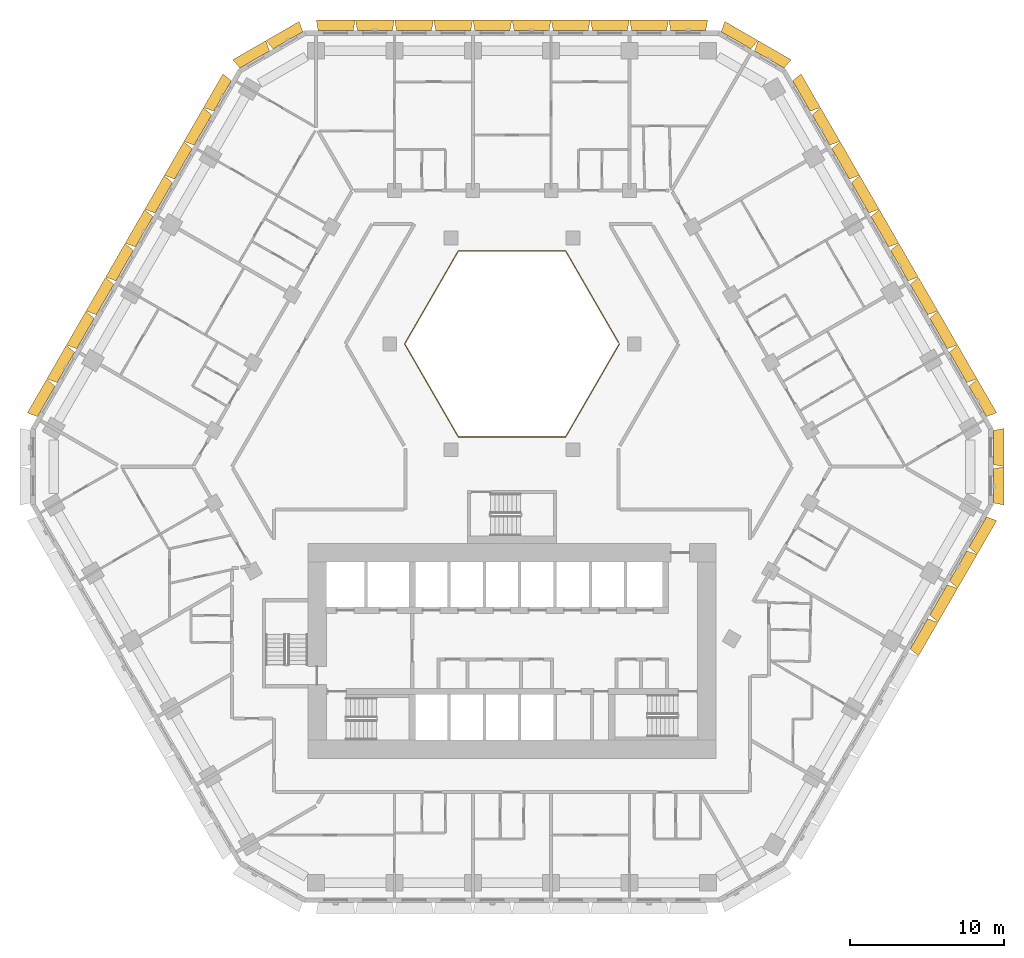
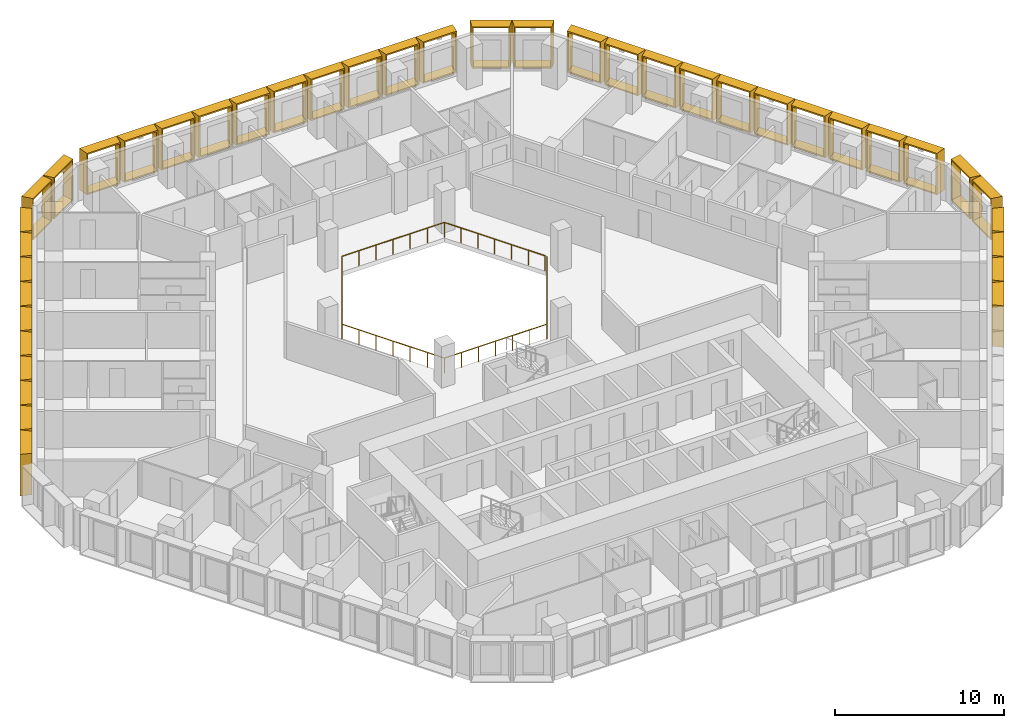
# One storey, part 21 of 21: 40 shading devices, 1 railing.
"""IFC4 building model written with IfcOpenShell, lengths in metres."""

from ifc_helpers import new_model, entity, si_unit, direction, frame, origin, origin_2d, place, context, subcontext, project, spatial, rectangle, extrude, source, transform, mapped, material, type_object, type_shapes, element, save


model = new_model("IFC4")

# Units and contexts
model_context = context("Model", 3, precision=1e-05, world=origin(), true_north=direction((0.0, 1.0)))
body_context = subcontext(model_context, "Body", "Model", "MODEL_VIEW")
ifc_project = project(units=[si_unit("LENGTHUNIT", "METRE"), si_unit("AREAUNIT", "SQUARE_METRE"), si_unit("VOLUMEUNIT", "CUBIC_METRE"), si_unit("PLANEANGLEUNIT", "RADIAN"), si_unit("MASSUNIT", "GRAM", prefix="KILO")], contexts=[model_context])

# Site, building, storey
site_placement = place(None, origin())
site = spatial("IfcSite", under=ifc_project, at=site_placement, CompositionType="ELEMENT")
building_placement = place(site_placement, origin())
building = spatial("IfcBuilding", under=site, at=building_placement, Name="Beryl Residences", CompositionType="ELEMENT")
storey_placement = place(building_placement, frame((0.0, 0.0, 59.39990234375)))
storey = spatial("IfcBuildingStorey", under=building, at=storey_placement, Name="L18", CompositionType="ELEMENT", Elevation=59.39990234375)

# Railing
ifc_material_1 = material(Name="Stainless steel balustrade with glass infill", Category="steel")
railing_type = type_object("IfcRailingType", Name="EG1 edge guard 1100 mm", PredefinedType="GUARDRAIL", material=ifc_material_1)
railing_placement = place(storey_placement, frame((6.9970703125, 8.0, 0.0)))
element("IfcRailing", 1, at=railing_placement, inside=storey, type_object=railing_type, Name="L18 atrium guard", PredefinedType="GUARDRAIL", context=body_context, shape_type="SweptSolid", body=[
    extrude(rectangle(XDim=0.048095703125, YDim=0.048095703125, at=origin_2d()), frame((0.0, 0.0, 1.076171875), z_axis=(-0.499921796684, -0.866070549782, 0.0), x_axis=(0.866070549782, -0.499921796684, 0.0)), (0.0, 0.0, 1.0), 6.9970703125),
    extrude(rectangle(XDim=0.048095703125, YDim=0.048095703125, at=origin_2d()), frame((-3.498046875, -6.06005859375, 1.076171875), z_axis=(-1.0, 0.0, 0.0), x_axis=(0.0, -1.0, 0.0)), (0.0, 0.0, 1.0), 6.998046875),
    extrude(rectangle(XDim=0.048095703125, YDim=0.048095703125, at=origin_2d()), frame((-10.49609375, -6.06005859375, 1.076171875), z_axis=(-0.499921796684, 0.866070549782, 0.0), x_axis=(-0.866070549782, -0.499921796684, 0.0)), (0.0, 0.0, 1.0), 6.9970703125),
    extrude(rectangle(XDim=0.048095703125, YDim=0.048095703125, at=origin_2d()), frame((-13.994140625, 0.0, 1.076171875), z_axis=(0.499921796684, 0.866070549782, 0.0), x_axis=(-0.866070549782, 0.499921796684, 0.0)), (0.0, 0.0, 1.0), 6.9970703125),
    extrude(rectangle(XDim=0.048095703125, YDim=0.048095703125, at=origin_2d()), frame((-10.49609375, 6.06005859375, 1.076171875), z_axis=(1.0, 0.0, 0.0), x_axis=(0.0, 1.0, 0.0)), (0.0, 0.0, 1.0), 6.998046875),
    extrude(rectangle(XDim=0.048095703125, YDim=0.048095703125, at=origin_2d()), frame((-3.498046875, 6.06005859375, 1.076171875), z_axis=(0.499919131929, -0.866072087953, 0.0), x_axis=(0.866072087953, 0.499919131929, 0.0)), (0.0, 0.0, 1.0), 6.877197265625),
    extrude(rectangle(XDim=0.0419921875, YDim=0.0419921875, at=origin_2d()), origin(), (0.0, 0.0, 1.0), 1.052001953125),
    extrude(rectangle(XDim=0.0419921875, YDim=0.0419921875, at=origin_2d()), frame((-0.5830078125, -1.010009765625, 0.0)), (0.0, 0.0, 1.0), 1.052001953125),
    extrude(rectangle(XDim=0.0419921875, YDim=0.0419921875, at=origin_2d()), frame((-1.166015625, -2.02001953125, 0.0)), (0.0, 0.0, 1.0), 1.052001953125),
    extrude(rectangle(XDim=0.0419921875, YDim=0.0419921875, at=origin_2d()), frame((-1.7490234375, -3.030029296875, 0.0)), (0.0, 0.0, 1.0), 1.052001953125),
    extrude(rectangle(XDim=0.0419921875, YDim=0.0419921875, at=origin_2d()), frame((-2.33203125, -4.0400390625, 0.0)), (0.0, 0.0, 1.0), 1.052001953125),
    extrude(rectangle(XDim=0.0419921875, YDim=0.0419921875, at=origin_2d()), frame((-2.9150390625, -5.050048828125, 0.0)), (0.0, 0.0, 1.0), 1.052001953125),
    extrude(rectangle(XDim=0.0419921875, YDim=0.0419921875, at=origin_2d()), frame((-3.498046875, -6.06005859375, 0.0)), (0.0, 0.0, 1.0), 1.052001953125),
    extrude(rectangle(XDim=0.0419921875, YDim=0.0419921875, at=origin_2d()), frame((-4.664306640625, -6.06005859375, 0.0)), (0.0, 0.0, 1.0), 1.052001953125),
    extrude(rectangle(XDim=0.0419921875, YDim=0.0419921875, at=origin_2d()), frame((-5.830810546875, -6.06005859375, 0.0)), (0.0, 0.0, 1.0), 1.052001953125),
    extrude(rectangle(XDim=0.0419921875, YDim=0.0419921875, at=origin_2d()), frame((-6.9970703125, -6.06005859375, 0.0)), (0.0, 0.0, 1.0), 1.052001953125),
    extrude(rectangle(XDim=0.0419921875, YDim=0.0419921875, at=origin_2d()), frame((-8.163330078125, -6.06005859375, 0.0)), (0.0, 0.0, 1.0), 1.052001953125),
    extrude(rectangle(XDim=0.0419921875, YDim=0.0419921875, at=origin_2d()), frame((-9.329833984375, -6.06005859375, 0.0)), (0.0, 0.0, 1.0), 1.052001953125),
    extrude(rectangle(XDim=0.0419921875, YDim=0.0419921875, at=origin_2d()), frame((-10.49609375, -6.06005859375, 0.0)), (0.0, 0.0, 1.0), 1.052001953125),
    extrude(rectangle(XDim=0.0419921875, YDim=0.0419921875, at=origin_2d()), frame((-11.0791015625, -5.050048828125, 0.0)), (0.0, 0.0, 1.0), 1.052001953125),
    extrude(rectangle(XDim=0.0419921875, YDim=0.0419921875, at=origin_2d()), frame((-11.662109375, -4.0400390625, 0.0)), (0.0, 0.0, 1.0), 1.052001953125),
    extrude(rectangle(XDim=0.0419921875, YDim=0.0419921875, at=origin_2d()), frame((-12.2451171875, -3.030029296875, 0.0)), (0.0, 0.0, 1.0), 1.052001953125),
    extrude(rectangle(XDim=0.0419921875, YDim=0.0419921875, at=origin_2d()), frame((-12.828125, -2.02001953125, 0.0)), (0.0, 0.0, 1.0), 1.052001953125),
    extrude(rectangle(XDim=0.0419921875, YDim=0.0419921875, at=origin_2d()), frame((-13.4111328125, -1.010009765625, 0.0)), (0.0, 0.0, 1.0), 1.052001953125),
    extrude(rectangle(XDim=0.0419921875, YDim=0.0419921875, at=origin_2d()), frame((-13.994140625, 0.0, 0.0)), (0.0, 0.0, 1.0), 1.052001953125),
    extrude(rectangle(XDim=0.0419921875, YDim=0.0419921875, at=origin_2d()), frame((-13.4111328125, 1.010009765625, 0.0)), (0.0, 0.0, 1.0), 1.052001953125),
    extrude(rectangle(XDim=0.0419921875, YDim=0.0419921875, at=origin_2d()), frame((-12.828125, 2.02001953125, 0.0)), (0.0, 0.0, 1.0), 1.052001953125),
    extrude(rectangle(XDim=0.0419921875, YDim=0.0419921875, at=origin_2d()), frame((-12.2451171875, 3.030029296875, 0.0)), (0.0, 0.0, 1.0), 1.052001953125),
    extrude(rectangle(XDim=0.0419921875, YDim=0.0419921875, at=origin_2d()), frame((-11.662109375, 4.0400390625, 0.0)), (0.0, 0.0, 1.0), 1.052001953125),
    extrude(rectangle(XDim=0.0419921875, YDim=0.0419921875, at=origin_2d()), frame((-11.0791015625, 5.050048828125, 0.0)), (0.0, 0.0, 1.0), 1.052001953125),
    extrude(rectangle(XDim=0.0419921875, YDim=0.0419921875, at=origin_2d()), frame((-10.49609375, 6.06005859375, 0.0)), (0.0, 0.0, 1.0), 1.052001953125),
    extrude(rectangle(XDim=0.0419921875, YDim=0.0419921875, at=origin_2d()), frame((-9.329833984375, 6.06005859375, 0.0)), (0.0, 0.0, 1.0), 1.052001953125),
    extrude(rectangle(XDim=0.0419921875, YDim=0.0419921875, at=origin_2d()), frame((-8.163330078125, 6.06005859375, 0.0)), (0.0, 0.0, 1.0), 1.052001953125),
    extrude(rectangle(XDim=0.0419921875, YDim=0.0419921875, at=origin_2d()), frame((-6.9970703125, 6.06005859375, 0.0)), (0.0, 0.0, 1.0), 1.052001953125),
    extrude(rectangle(XDim=0.0419921875, YDim=0.0419921875, at=origin_2d()), frame((-5.830810546875, 6.06005859375, 0.0)), (0.0, 0.0, 1.0), 1.052001953125),
    extrude(rectangle(XDim=0.0419921875, YDim=0.0419921875, at=origin_2d()), frame((-4.664306640625, 6.06005859375, 0.0)), (0.0, 0.0, 1.0), 1.052001953125),
    extrude(rectangle(XDim=0.0419921875, YDim=0.0419921875, at=origin_2d()), frame((-3.498046875, 6.06005859375, 0.0)), (0.0, 0.0, 1.0), 1.052001953125),
    extrude(rectangle(XDim=0.0419921875, YDim=0.0419921875, at=origin_2d()), frame((-2.925048828125, 5.0673828125, 0.0)), (0.0, 0.0, 1.0), 1.052001953125),
    extrude(rectangle(XDim=0.0419921875, YDim=0.0419921875, at=origin_2d()), frame((-2.35205078125, 4.07470703125, 0.0)), (0.0, 0.0, 1.0), 1.052001953125),
    extrude(rectangle(XDim=0.0419921875, YDim=0.0419921875, at=origin_2d()), frame((-1.779052734375, 3.08203125, 0.0)), (0.0, 0.0, 1.0), 1.052001953125),
    extrude(rectangle(XDim=0.0419921875, YDim=0.0419921875, at=origin_2d()), frame((-1.2060546875, 2.08935546875, 0.0)), (0.0, 0.0, 1.0), 1.052001953125),
    extrude(rectangle(XDim=0.0419921875, YDim=0.0419921875, at=origin_2d()), frame((-0.633056640625, 1.0966796875, 0.0)), (0.0, 0.0, 1.0), 1.052001953125),
    extrude(rectangle(XDim=0.0419921875, YDim=0.0419921875, at=origin_2d()), frame((-0.06005859375, 0.10400390625, 0.0)), (0.0, 0.0, 1.0), 1.052001953125),
])

# Shading devices
ifc_material_2 = material(Name="Aluminium pale anodised", Category="aluminium")
shading_device_type_1 = type_object("IfcShadingDeviceType", Name="FR250-70A OUTER SKIN frame 700 mm deep, splay 10/10 deg, 2500 x 3000 mm cell", PredefinedType="USERDEFINED", material=ifc_material_2)
cartesian_point_1 = entity("IfcCartesianPoint", [-1.116455078125, 0.0])
cartesian_point_2 = entity("IfcCartesianPoint", [-1.03515625, 0.10009765625])
cartesian_point_3 = entity("IfcCartesianPoint", [-1.239990234375, 0.0])
cartesian_point_4 = entity("IfcCartesianPoint", [-1.15869140625, 0.10009765625])
shared_shape_1 = source(origin(), body_context, "Body", "SweptSolid", [
    entity("IfcExtrudedAreaSolidTapered", entity("IfcArbitraryProfileDefWithVoids", "AREA", None, entity("IfcPolyline", [cartesian_point_1, entity("IfcCartesianPoint", [1.116455078125, 0.0]), entity("IfcCartesianPoint", [1.116455078125, 3.0]), entity("IfcCartesianPoint", [-1.116455078125, 3.0]), cartesian_point_1]), [entity("IfcPolyline", [cartesian_point_2, entity("IfcCartesianPoint", [1.03515625, 0.10009765625]), entity("IfcCartesianPoint", [1.03515625, 2.89990234375]), entity("IfcCartesianPoint", [-1.03515625, 2.89990234375]), cartesian_point_2])]), entity("IfcAxis2Placement3D", entity("IfcCartesianPoint", [0.0, 0.0, 0.0]), entity("IfcDirection", [0.0, 1.0, 0.0]), entity("IfcDirection", [-1.0, 0.0, 0.0])), entity("IfcDirection", [0.0, 0.0, 1.0]), 0.699951171875, entity("IfcArbitraryProfileDefWithVoids", "AREA", None, entity("IfcPolyline", [cartesian_point_3, entity("IfcCartesianPoint", [1.239990234375, 0.0]), entity("IfcCartesianPoint", [1.239990234375, 3.0]), entity("IfcCartesianPoint", [-1.239990234375, 3.0]), cartesian_point_3]), [entity("IfcPolyline", [cartesian_point_4, entity("IfcCartesianPoint", [1.15869140625, 0.10009765625]), entity("IfcCartesianPoint", [1.15869140625, 2.89990234375]), entity("IfcCartesianPoint", [-1.15869140625, 2.89990234375]), cartesian_point_4])])),
])
type_shapes(shading_device_type_1, [shared_shape_1])
for number, where, z_axis, x_axis, name in (
    (2, (-14.593017578125, 27.77490234375, 0.0), (0.0, 0.0, 1.0), (0.866025403784, 0.5, 0.0), "FR250-70A frame L18 N-NW 1"),
    (3, (-16.758056640625, 26.52490234375, 0.0), (0.0, 0.0, 1.0), (0.866025403784, 0.5, 0.0), "FR250-70A frame L18 N-NW 2"),
    (4, (31.35009765625, -1.25, 0.0), (0.0, 0.0, 1.0), (0.0, -1.0, 0.0), "FR250-70A frame L18 SE-NE 1"),
    (5, (31.35009765625, 1.25, 0.0), (0.0, 0.0, 1.0), (0.0, -1.0, 0.0), "FR250-70A frame L18 SE-NE 2"),
    (6, (16.758056640625, 26.52490234375, 0.0), (0.0, 0.0, 1.0), (0.866025403784, -0.5, 0.0), "FR250-70A frame L18 NE-N 1"),
    (7, (14.593017578125, 27.77490234375, 0.0), (0.0, 0.0, 1.0), (0.866025403784, -0.5, 0.0), "FR250-70A frame L18 NE-N 2"),
):
    element("IfcShadingDevice", number, at=place(storey_placement, frame(where, z_axis=z_axis, x_axis=x_axis)), inside=storey, type_object=shading_device_type_1, Name=name, ObjectType="OUTER SKIN", PredefinedType="USERDEFINED", context=body_context, shape_type="MappedRepresentation", body=[
        mapped(shared_shape_1, transform((0.0, 0.0, 0.0))),
    ])
ifc_material_3 = material(Name="Aluminium pale anodised", Category="aluminium")
shading_device_type_2 = type_object("IfcShadingDeviceType", Name="FR255-70A OUTER SKIN frame 700 mm deep, splay 10/10 deg, 2550 x 3000 mm cell", PredefinedType="USERDEFINED", material=ifc_material_3)
cartesian_point_5 = entity("IfcCartesianPoint", [-1.1416015625, 0.0])
cartesian_point_6 = entity("IfcCartesianPoint", [-1.060302734375, 0.10009765625])
cartesian_point_7 = entity("IfcCartesianPoint", [-1.264892578125, 0.0])
cartesian_point_8 = entity("IfcCartesianPoint", [-1.18359375, 0.10009765625])
shared_shape_2 = source(origin(), body_context, "Body", "SweptSolid", [
    entity("IfcExtrudedAreaSolidTapered", entity("IfcArbitraryProfileDefWithVoids", "AREA", None, entity("IfcPolyline", [cartesian_point_5, entity("IfcCartesianPoint", [1.1416015625, 0.0]), entity("IfcCartesianPoint", [1.1416015625, 3.0]), entity("IfcCartesianPoint", [-1.1416015625, 3.0]), cartesian_point_5]), [entity("IfcPolyline", [cartesian_point_6, entity("IfcCartesianPoint", [1.060302734375, 0.10009765625]), entity("IfcCartesianPoint", [1.060302734375, 2.89990234375]), entity("IfcCartesianPoint", [-1.060302734375, 2.89990234375]), cartesian_point_6])]), entity("IfcAxis2Placement3D", entity("IfcCartesianPoint", [0.0, 0.0, 0.0]), entity("IfcDirection", [0.0, 1.0, 0.0]), entity("IfcDirection", [-1.0, 0.0, 0.0])), entity("IfcDirection", [0.0, 0.0, 1.0]), 0.699951171875, entity("IfcArbitraryProfileDefWithVoids", "AREA", None, entity("IfcPolyline", [cartesian_point_7, entity("IfcCartesianPoint", [1.264892578125, 0.0]), entity("IfcCartesianPoint", [1.264892578125, 3.0]), entity("IfcCartesianPoint", [-1.264892578125, 3.0]), cartesian_point_7]), [entity("IfcPolyline", [cartesian_point_8, entity("IfcCartesianPoint", [1.18359375, 0.10009765625]), entity("IfcCartesianPoint", [1.18359375, 2.89990234375]), entity("IfcCartesianPoint", [-1.18359375, 2.89990234375]), cartesian_point_8])])),
])
type_shapes(shading_device_type_2, [shared_shape_2])
for number, where, z_axis, x_axis, name in (
    (8, (11.48291015625, 28.39990234375, 0.0), (0.0, 0.0, 1.0), (1.0, 0.0, 0.0), "FR255-70A frame L18 N 1"),
    (9, (8.930908203125, 28.39990234375, 0.0), (0.0, 0.0, 1.0), (1.0, 0.0, 0.0), "FR255-70A frame L18 N 2"),
    (10, (6.37890625, 28.39990234375, 0.0), (0.0, 0.0, 1.0), (1.0, 0.0, 0.0), "FR255-70A frame L18 N 3"),
    (11, (3.826904296875, 28.39990234375, 0.0), (0.0, 0.0, 1.0), (1.0, 0.0, 0.0), "FR255-70A frame L18 N 4"),
    (12, (1.27490234375, 28.39990234375, 0.0), (0.0, 0.0, 1.0), (1.0, 0.0, 0.0), "FR255-70A frame L18 N 5"),
    (13, (-1.277099609375, 28.39990234375, 0.0), (0.0, 0.0, 1.0), (1.0, 0.0, 0.0), "FR255-70A frame L18 N 6"),
    (14, (-3.8291015625, 28.39990234375, 0.0), (0.0, 0.0, 1.0), (1.0, 0.0, 0.0), "FR255-70A frame L18 N 7"),
    (15, (-6.381103515625, 28.39990234375, 0.0), (0.0, 0.0, 1.0), (1.0, 0.0, 0.0), "FR255-70A frame L18 N 8"),
    (16, (-8.93310546875, 28.39990234375, 0.0), (0.0, 0.0, 1.0), (1.0, 0.0, 0.0), "FR255-70A frame L18 N 9"),
    (17, (-11.485107421875, 28.39990234375, 0.0), (0.0, 0.0, 1.0), (1.0, 0.0, 0.0), "FR255-70A frame L18 N 10"),
    (18, (-18.85400390625, 24.14501953125, 0.0), (0.0, 0.0, 1.0), (0.5, 0.866025403784, 0.0), "FR255-70A frame L18 NW 1"),
    (19, (-20.1298828125, 21.93505859375, 0.0), (0.0, 0.0, 1.0), (0.5, 0.866025403784, 0.0), "FR255-70A frame L18 NW 2"),
    (20, (-21.406005859375, 19.72412109375, 0.0), (0.0, 0.0, 1.0), (0.5, 0.866025403784, 0.0), "FR255-70A frame L18 NW 3"),
    (21, (-22.681884765625, 17.513916015625, 0.0), (0.0, 0.0, 1.0), (0.5, 0.866025403784, 0.0), "FR255-70A frame L18 NW 4"),
    (22, (-23.9580078125, 15.303955078125, 0.0), (0.0, 0.0, 1.0), (0.5, 0.866025403784, 0.0), "FR255-70A frame L18 NW 5"),
    (23, (-25.23291015625, 13.093994140625, 0.0), (0.0, 0.0, 1.0), (0.5, 0.866025403784, 0.0), "FR255-70A frame L18 NW 6"),
    (24, (-26.509033203125, 10.884033203125, 0.0), (0.0, 0.0, 1.0), (0.5, 0.866025403784, 0.0), "FR255-70A frame L18 NW 7"),
    (25, (-27.784912109375, 8.674072265625, 0.0), (0.0, 0.0, 1.0), (0.5, 0.866025403784, 0.0), "FR255-70A frame L18 NW 8"),
    (26, (-29.06103515625, 6.464111328125, 0.0), (0.0, 0.0, 1.0), (0.5, 0.866025403784, 0.0), "FR255-70A frame L18 NW 9"),
    (27, (-30.3369140625, 4.25390625, 0.0), (0.0, 0.0, 1.0), (0.5, 0.866025403784, 0.0), "FR255-70A frame L18 NW 10"),
    (28, (26.509033203125, -10.884033203125, 0.0), (0.0, 0.0, 1.0), (-0.5, -0.866025403784, 0.0), "FR255-70A frame L18 SE 7"),
    (29, (27.784912109375, -8.674072265625, 0.0), (0.0, 0.0, 1.0), (-0.5, -0.866025403784, 0.0), "FR255-70A frame L18 SE 8"),
    (30, (29.06103515625, -6.464111328125, 0.0), (0.0, 0.0, 1.0), (-0.5, -0.866025403784, 0.0), "FR255-70A frame L18 SE 9"),
    (31, (30.3369140625, -4.25390625, 0.0), (0.0, 0.0, 1.0), (-0.5, -0.866025403784, 0.0), "FR255-70A frame L18 SE 10"),
    (32, (30.3359375, 4.2548828125, 0.0), (0.0, 0.0, 1.0), (0.5, -0.866025403784, 0.0), "FR255-70A frame L18 NE 1"),
    (33, (29.06005859375, 6.465087890625, 0.0), (0.0, 0.0, 1.0), (0.5, -0.866025403784, 0.0), "FR255-70A frame L18 NE 2"),
    (34, (27.783935546875, 8.676025390625, 0.0), (0.0, 0.0, 1.0), (0.5, -0.866025403784, 0.0), "FR255-70A frame L18 NE 3"),
    (35, (26.508056640625, 10.885986328125, 0.0), (0.0, 0.0, 1.0), (0.5, -0.866025403784, 0.0), "FR255-70A frame L18 NE 4"),
    (36, (25.23193359375, 13.095947265625, 0.0), (0.0, 0.0, 1.0), (0.5, -0.866025403784, 0.0), "FR255-70A frame L18 NE 5"),
    (37, (23.95703125, 15.305908203125, 0.0), (0.0, 0.0, 1.0), (0.5, -0.866025403784, 0.0), "FR255-70A frame L18 NE 6"),
    (38, (22.680908203125, 17.51611328125, 0.0), (0.0, 0.0, 1.0), (0.5, -0.866025403784, 0.0), "FR255-70A frame L18 NE 7"),
    (39, (21.405029296875, 19.72607421875, 0.0), (0.0, 0.0, 1.0), (0.5, -0.866025403784, 0.0), "FR255-70A frame L18 NE 8"),
    (40, (20.12890625, 21.93603515625, 0.0), (0.0, 0.0, 1.0), (0.5, -0.866025403784, 0.0), "FR255-70A frame L18 NE 9"),
    (41, (18.85302734375, 24.14599609375, 0.0), (0.0, 0.0, 1.0), (0.5, -0.866025403784, 0.0), "FR255-70A frame L18 NE 10"),
):
    element("IfcShadingDevice", number, at=place(storey_placement, frame(where, z_axis=z_axis, x_axis=x_axis)), inside=storey, type_object=shading_device_type_2, Name=name, ObjectType="OUTER SKIN", PredefinedType="USERDEFINED", context=body_context, shape_type="MappedRepresentation", body=[
        mapped(shared_shape_2, transform((0.0, 0.0, 0.0))),
    ])

save(model, "model.ifc")
